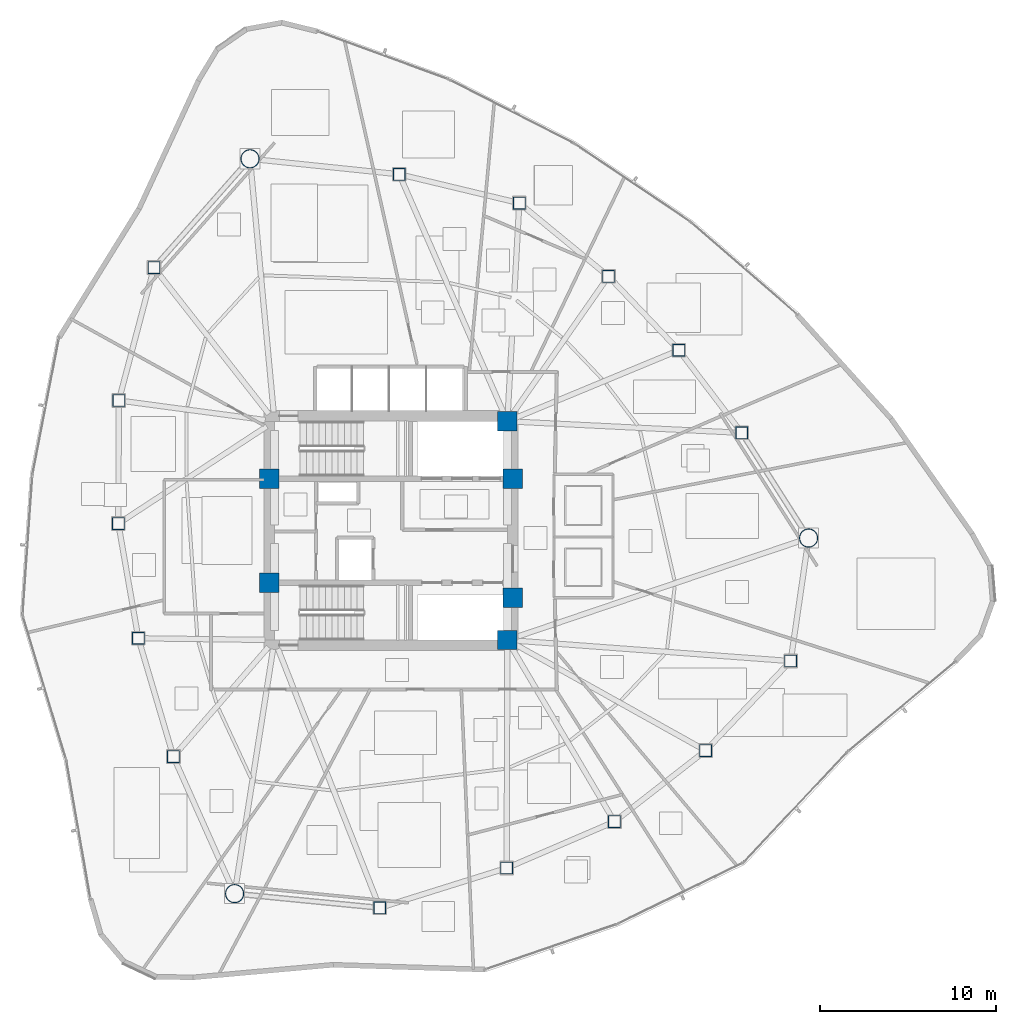
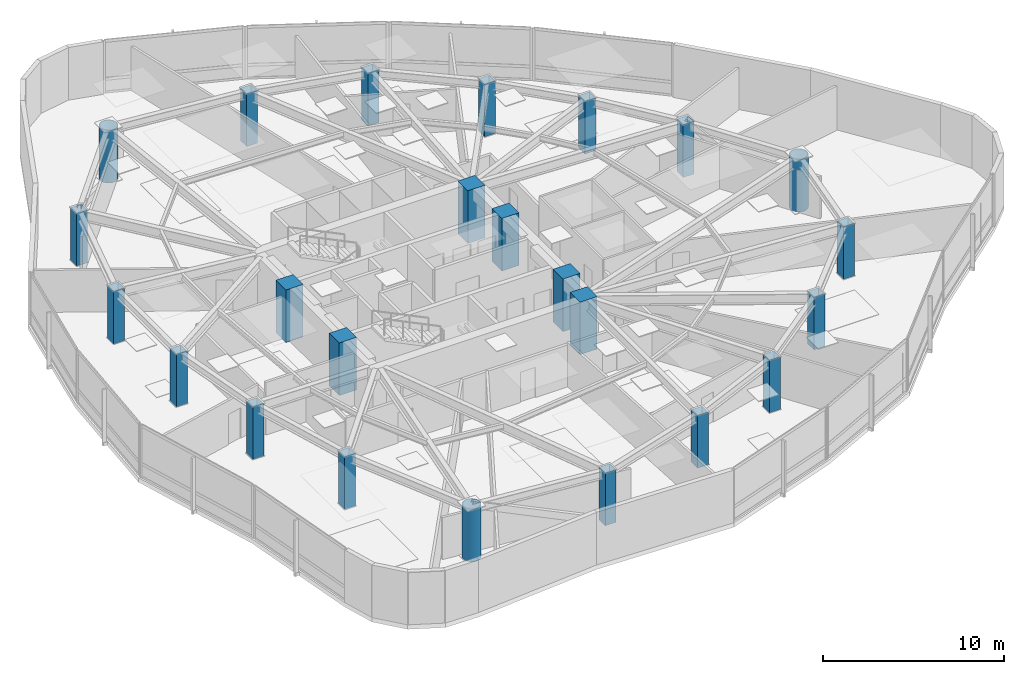
# One storey, part 1 of 17: 24 columns.
"""IFC4 building model written with IfcOpenShell, lengths in metres."""

from ifc_helpers import new_model, si_unit, direction, frame, origin, origin_2d, place, context, subcontext, project, spatial, rectangle, hollow_rectangle, hollow_circle, extrude, material, material_profile, profile_set, type_object, element, save


model = new_model("IFC4")

# Units and contexts
model_context = context("Model", 3, precision=1e-05, world=origin(), true_north=direction((0.0, 1.0)))
body_context = subcontext(model_context, "Body", "Model", "MODEL_VIEW")
ifc_project = project(units=[si_unit("LENGTHUNIT", "METRE"), si_unit("AREAUNIT", "SQUARE_METRE"), si_unit("VOLUMEUNIT", "CUBIC_METRE"), si_unit("PLANEANGLEUNIT", "RADIAN"), si_unit("MASSUNIT", "GRAM", prefix="KILO")], contexts=[model_context])

# Site, building, storey
site_placement = place(None, origin())
site = spatial("IfcSite", under=ifc_project, at=site_placement, CompositionType="ELEMENT")
building_placement = place(site_placement, origin())
building = spatial("IfcBuilding", under=site, at=building_placement, Name="Tavelor Broadcast Tower", CompositionType="ELEMENT")
storey_placement = place(building_placement, frame((0.0, 0.0, 127.14990234375)))
storey = spatial("IfcBuildingStorey", under=building, at=storey_placement, Name="L29", CompositionType="ELEMENT", Elevation=127.14990234375)

# Columns
ifc_material_1 = material(Name="Concrete C60/75", Category="concrete")
ifc_material_profile_1 = material_profile(ifc_material_1, rectangle(XDim=1.10009765625, YDim=1.10009765625, at=origin_2d()), Name="RC 1100x1100")
ifc_profile_set_1 = profile_set([ifc_material_profile_1], Name="Concrete C60/75")
column_type_1 = type_object("IfcColumnType", Name="Core Embedded Composite Column RC1100", PredefinedType="COLUMN", material=ifc_profile_set_1)
for number, where, z_axis, x_axis, name in (
    (1, (43.10009765625, 47.949951171875, 0.0), (0.0, 0.0, 1.0), (1.0, 0.0, 0.0), "L29 Core Embedded Column 1"),
    (2, (56.89990234375, 47.949951171875, 0.0), (0.0, 0.0, 1.0), (1.0, 0.0, 0.0), "L29 Core Embedded Column 2"),
    (3, (56.60009765625, 51.199951171875, 0.0), (0.0, 0.0, 1.0), (1.0, 0.0, 0.0), "L29 Core Embedded Column 3"),
    (4, (43.10009765625, 42.050048828125, 0.0), (0.0, 0.0, 1.0), (1.0, 0.0, 0.0), "L29 Core Embedded Column 4"),
    (5, (56.89990234375, 41.199951171875, 0.0), (0.0, 0.0, 1.0), (1.0, 0.0, 0.0), "L29 Core Embedded Column 5"),
    (6, (56.60009765625, 38.800048828125, 0.0), (0.0, 0.0, 1.0), (1.0, 0.0, 0.0), "L29 Core Embedded Column 6"),
):
    element("IfcColumn", number, at=place(storey_placement, frame(where, z_axis=z_axis, x_axis=x_axis)), inside=storey, type_object=column_type_1, Name=name, PredefinedType="COLUMN", context=body_context, shape_type="SweptSolid", body=[
        extrude(rectangle(XDim=1.10009765625, YDim=1.10009765625, at=origin_2d()), origin(), (0.0, 0.0, 1.0), 3.550048828125),
    ])
ifc_material_2 = material(Name="Steel S460", Category="steel")
ifc_material_profile_2 = material_profile(ifc_material_2, hollow_rectangle(XDim=0.699951171875, YDim=0.699951171875, WallThickness=0.0400390625, at=origin_2d()), Name="SHS 700x700x40")
ifc_profile_set_2 = profile_set([ifc_material_profile_2], Name="Steel S460")
column_type_2 = type_object("IfcColumnType", Name="Perimeter Tube Column T3 SHS 700x700x40", PredefinedType="COLUMN", material=ifc_profile_set_2)
for number, where, z_axis, x_axis, name in (
    (7, (36.567626953125, 59.91064453125, 0.0), (0.0, 0.0, 1.0), (1.0, 0.0, 0.0), "L29 Perimeter Framed-Tube Column 02"),
    (8, (34.5751953125, 52.37939453125, 0.0), (0.0, 0.0, 1.0), (1.0, 0.0, 0.0), "L29 Perimeter Framed-Tube Column 03"),
    (9, (34.54638671875, 45.399169921875, 0.0), (0.0, 0.0, 1.0), (1.0, 0.0, 0.0), "L29 Perimeter Framed-Tube Column 04"),
    (10, (35.680908203125, 38.89990234375, 0.0), (0.0, 0.0, 1.0), (1.0, 0.0, 0.0), "L29 Perimeter Framed-Tube Column 05"),
    (11, (37.668212890625, 32.1904296875, 0.0), (0.0, 0.0, 1.0), (1.0, 0.0, 0.0), "L29 Perimeter Framed-Tube Column 06"),
    (12, (49.366455078125, 23.618896484375, 0.0), (0.0, 0.0, 1.0), (1.0, 0.0, 0.0), "L29 Perimeter Framed-Tube Column 08"),
    (13, (56.56103515625, 25.872802734375, 0.0), (0.0, 0.0, 1.0), (1.0, 0.0, 0.0), "L29 Perimeter Framed-Tube Column 09"),
    (14, (62.669189453125, 28.503173828125, 0.0), (0.0, 0.0, 1.0), (1.0, 0.0, 0.0), "L29 Perimeter Framed-Tube Column 10"),
    (15, (67.84228515625, 32.53173828125, 0.0), (0.0, 0.0, 1.0), (1.0, 0.0, 0.0), "L29 Perimeter Framed-Tube Column 11"),
    (16, (72.6591796875, 37.607421875, 0.0), (0.0, 0.0, 1.0), (1.0, 0.0, 0.0), "L29 Perimeter Framed-Tube Column 12"),
    (17, (69.885986328125, 50.544189453125, 0.0), (0.0, 0.0, 1.0), (1.0, 0.0, 0.0), "L29 Perimeter Framed-Tube Column 14"),
    (18, (66.322021484375, 55.228759765625, 0.0), (0.0, 0.0, 1.0), (1.0, 0.0, 0.0), "L29 Perimeter Framed-Tube Column 15"),
    (19, (62.330810546875, 59.416259765625, 0.0), (0.0, 0.0, 1.0), (1.0, 0.0, 0.0), "L29 Perimeter Framed-Tube Column 16"),
    (20, (57.276611328125, 63.568359375, 0.0), (0.0, 0.0, 1.0), (1.0, 0.0, 0.0), "L29 Perimeter Framed-Tube Column 17"),
    (21, (50.472412109375, 65.2021484375, 0.0), (0.0, 0.0, 1.0), (1.0, 0.0, 0.0), "L29 Perimeter Framed-Tube Column 18"),
):
    element("IfcColumn", number, at=place(storey_placement, frame(where, z_axis=z_axis, x_axis=x_axis)), inside=storey, type_object=column_type_2, Name=name, PredefinedType="COLUMN", context=body_context, shape_type="SweptSolid", body=[
        extrude(hollow_rectangle(XDim=0.699951171875, YDim=0.699951171875, WallThickness=0.0400390625, at=origin_2d()), origin(), (0.0, 0.0, 1.0), 3.550048828125),
    ])
ifc_material_profile_3 = material_profile(ifc_material_2, hollow_circle(Radius=0.533447265625, WallThickness=0.044921875, at=origin_2d()), Name="CHS 1067x45")
ifc_profile_set_3 = profile_set([ifc_material_profile_3], Name="Steel S460")
column_type_3 = type_object("IfcColumnType", Name="Tower Mega Column T3 CHS 1067x45", PredefinedType="COLUMN", material=ifc_profile_set_3)
for number, where, z_axis, x_axis, name in (
    (22, (42.01123046875, 66.080078125, 0.0), (0.0, 0.0, 1.0), (1.0, 0.0, 0.0), "L29 Tower Corner Mega Column 01"),
    (23, (41.138671875, 24.423828125, 0.0), (0.0, 0.0, 1.0), (1.0, 0.0, 0.0), "L29 Tower Corner Mega Column 07"),
    (24, (73.676025390625, 44.57958984375, 0.0), (0.0, 0.0, 1.0), (1.0, 0.0, 0.0), "L29 Tower Corner Mega Column 13"),
):
    element("IfcColumn", number, at=place(storey_placement, frame(where, z_axis=z_axis, x_axis=x_axis)), inside=storey, type_object=column_type_3, Name=name, PredefinedType="COLUMN", context=body_context, shape_type="SweptSolid", body=[
        extrude(hollow_circle(Radius=0.533447265625, WallThickness=0.044921875, at=origin_2d()), origin(), (0.0, 0.0, 1.0), 3.550048828125),
    ])

save(model, "model.ifc")
